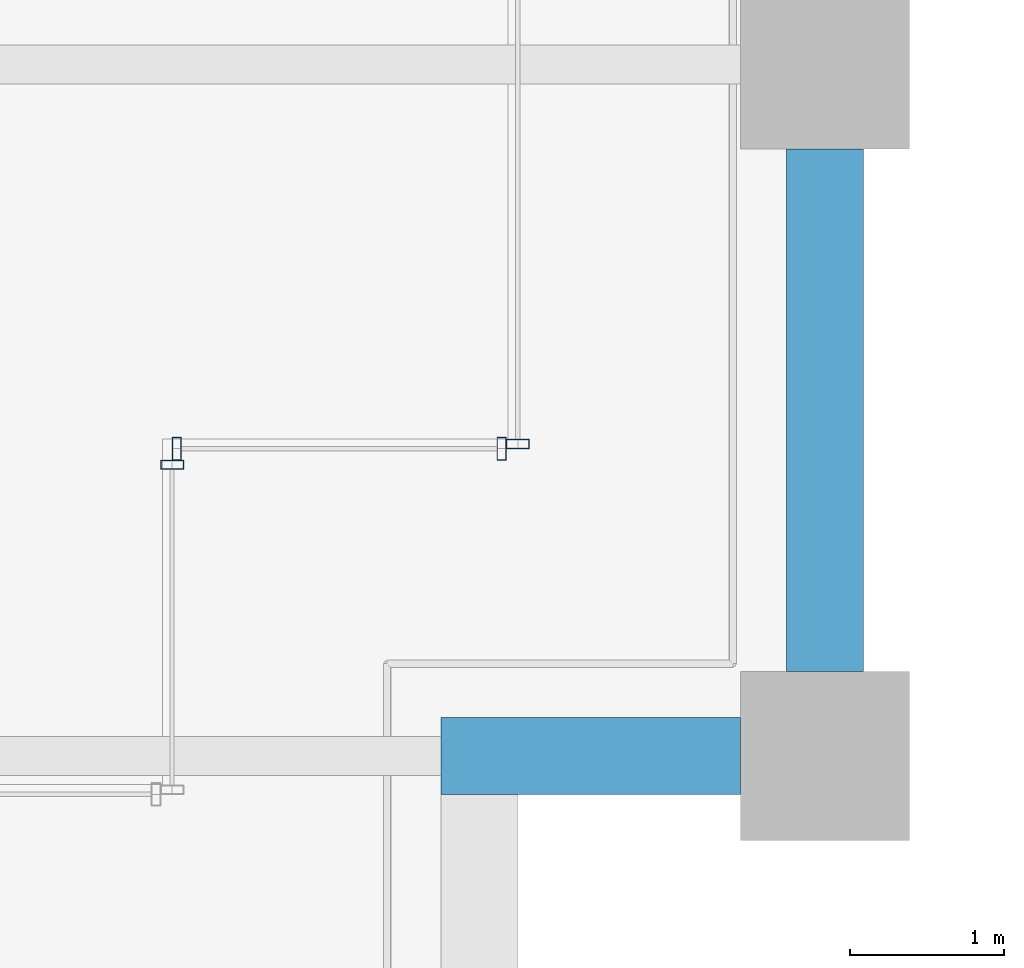
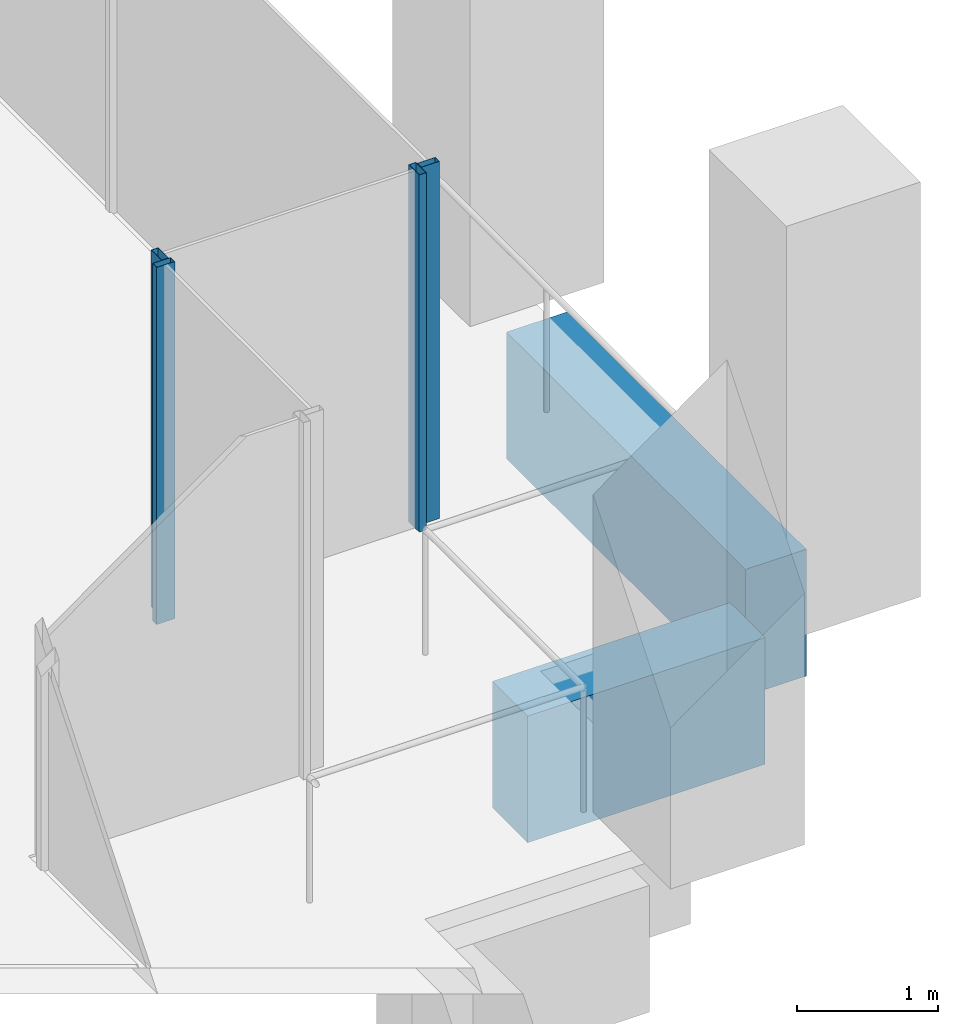
# One storey, part 16 of 54: 4 members, 2 beams, 3 elements without a shape of their own.
"""IFC4 building model written with IfcOpenShell, lengths in metres."""

import ifcopenshell
import ifcopenshell.guid

model = None  # the IFC model being written
_history = None  # IfcOwnerHistory: only IFC2X3 demands one
_inside = {}  # id of a spatial element -> (the spatial element, [elements in it])
_under = {}  # id of a project, library or spatial element -> (it, [spatial elements below it])
_declared = {}  # id of a project -> (the project, [libraries it declares])
_typed = {}  # id of a type object -> (the type object, [elements of that type])
_made_of = {}  # id of a material, layer set ... -> (it, [elements and type objects made of it])


def new_model(schema):
    """Start an empty IFC model of exactly this schema.

    Asked for "IFC4X3", IfcOpenShell would pick the latest addendum, in which some entities
    have other attributes; the version numbers below select the first issue.
    IFC2X3 requires an IfcOwnerHistory on every rooted entity: one is made here for all.
    """
    global model, _history
    if schema == "IFC4X3":
        model = ifcopenshell.file(schema_version=(4, 3, 0, 0))
    else:
        model = ifcopenshell.file(schema=schema)
    _inside.clear()
    _under.clear()
    _declared.clear()
    _typed.clear()
    _made_of.clear()
    _history = None
    if model.schema == "IFC2X3":
        org = make("IfcOrganization", Name="unknown")
        user = make(
            "IfcPersonAndOrganization",
            ThePerson=make("IfcPerson", FamilyName="unknown"),
            TheOrganization=org,
        )
        app = make(
            "IfcApplication",
            ApplicationDeveloper=org,
            Version="unknown",
            ApplicationFullName="unknown",
            ApplicationIdentifier="unknown",
        )
        _history = make(
            "IfcOwnerHistory",
            OwningUser=user,
            OwningApplication=app,
            ChangeAction="ADDED",
            CreationDate=0,
        )
    return model


def make(cls, **values):
    """One entity of the class cls with the attributes given. An attribute that is None is left unset."""
    return model.create_entity(
        cls, **{name: value for name, value in values.items() if value is not None}
    )


def rooted(cls, **values):
    """An entity with a GlobalId (a new one), such as an element, a storey or a relation."""
    return make(cls, GlobalId=ifcopenshell.guid.new(), OwnerHistory=_history, **values)


def si_unit(unit_type, name, prefix=None):
    """IfcSIUnit, for example si_unit("LENGTHUNIT", "METRE", prefix="MILLI")."""
    return make("IfcSIUnit", UnitType=unit_type, Prefix=prefix, Name=name)


def assignment(units):
    """IfcUnitAssignment: the units of a project."""
    return None if units is None else make("IfcUnitAssignment", Units=units)


def point(xyz):
    """IfcCartesianPoint."""
    return None if xyz is None else make("IfcCartesianPoint", Coordinates=xyz)


def direction(xyz):
    """IfcDirection."""
    return None if xyz is None else make("IfcDirection", DirectionRatios=xyz)


def frame(location, z_axis=None, x_axis=None):
    """IfcAxis2Placement3D, a coordinate frame: its origin and axes. An axis left out is left unset."""
    return make(
        "IfcAxis2Placement3D",
        Location=point(location),
        Axis=direction(z_axis),
        RefDirection=direction(x_axis),
    )


def frame_2d(location, x_axis=None):
    """IfcAxis2Placement2D, a coordinate frame in the plane: its origin and x axis."""
    return make(
        "IfcAxis2Placement2D", Location=point(location), RefDirection=direction(x_axis)
    )


def origin():
    """The frame at (0, 0, 0) with its axes left unset."""
    return frame((0.0, 0.0, 0.0))


def origin_2d():
    """The frame at (0, 0) in the plane with its x axis left unset."""
    return frame_2d((0.0, 0.0))


def place(relative_to, where):
    """IfcLocalPlacement: puts the frame where relative to a parent placement (None: the world)."""
    return make(
        "IfcLocalPlacement", PlacementRelTo=relative_to, RelativePlacement=where
    )


def context(
    kind, dimensions, precision=None, world=None, true_north=None, identifier=None
):
    """IfcGeometricRepresentationContext, for example the 3D "Model" context."""
    return make(
        "IfcGeometricRepresentationContext",
        ContextIdentifier=identifier,
        ContextType=kind,
        CoordinateSpaceDimension=dimensions,
        Precision=precision,
        WorldCoordinateSystem=world,
        TrueNorth=true_north,
    )


def subcontext(parent, identifier, kind, view, scale=None):
    """IfcGeometricRepresentationSubContext, for example "Body" below "Model"."""
    return make(
        "IfcGeometricRepresentationSubContext",
        ContextIdentifier=identifier,
        ContextType=kind,
        ParentContext=parent,
        TargetScale=scale,
        TargetView=view,
    )


def project(units=None, contexts=None):
    """IfcProject with its units and contexts."""
    return rooted(
        "IfcProject",
        Name="project",
        RepresentationContexts=contexts,
        UnitsInContext=assignment(units),
    )


def spatial(cls, under=None, at=None, **own):
    """A site, building, storey or space (cls), placed at a placement, below another one or the project."""
    s = rooted(cls, ObjectPlacement=at, **own)
    if under is not None:
        _under.setdefault(under.id(), (under, []))[1].append(s)
    return s


def profile(cls, at=None, kind="AREA", **sizes):
    """A parametric profile (cls). Its sizes go by their IFC names, for example OverallWidth=200.0."""
    return make(cls, ProfileType=kind, Position=at, **sizes)


def rectangle(**sizes):
    """IfcRectangleProfileDef."""
    return profile("IfcRectangleProfileDef", **sizes)


def hollow_rectangle(**sizes):
    """IfcRectangleHollowProfileDef."""
    return profile("IfcRectangleHollowProfileDef", **sizes)


def extrude(swept, where, along, depth):
    """IfcExtrudedAreaSolid: the profile swept, set in the frame where, extruded along a direction by depth."""
    return make(
        "IfcExtrudedAreaSolid",
        SweptArea=swept,
        Position=where,
        ExtrudedDirection=direction(along),
        Depth=depth,
    )


def shape(context_of_items, identifier, shape_type, items):
    """IfcShapeRepresentation: the items that make up one representation, for example the "Body"."""
    return make(
        "IfcShapeRepresentation",
        ContextOfItems=context_of_items,
        RepresentationIdentifier=identifier,
        RepresentationType=shape_type,
        Items=items,
    )


def material(Name=None, Category=None):
    """IfcMaterial."""
    return make("IfcMaterial", Name=Name, Category=Category)


def material_profile(
    of_material, cross_section, Name=None, Category=None, Priority=None
):
    """IfcMaterialProfile: a cross section and its material."""
    return make(
        "IfcMaterialProfile",
        Name=Name,
        Material=of_material,
        Profile=cross_section,
        Priority=Priority,
        Category=Category,
    )


def profile_set(profiles, Name=None, composite=None):
    """IfcMaterialProfileSet."""
    return make(
        "IfcMaterialProfileSet",
        Name=Name,
        MaterialProfiles=profiles,
        CompositeProfile=composite,
    )


def made_of(thing, what):
    """Note that an element or type object is made of a material, layer set ...; save() writes the relation."""
    if what is not None:
        _made_of.setdefault(what.id(), (what, []))[1].append(thing)
    return thing


def type_object(cls, material=None, **own):
    """A type object (cls), such as IfcWallType, which elements share."""
    return made_of(rooted(cls, **own), material)


def element(
    cls,
    number,
    at=None,
    inside=None,
    cuts=None,
    type_object=None,
    material=None,
    context=None,
    identifier="Body",
    shape_type=None,
    held_by="IfcProductDefinitionShape",
    body=None,
    shapes=None,
    **own,
):
    """One element of the class cls, such as IfcWall. Its Tag is "e" and its number.

    at: its placement. inside: the storey or other place that contains it. cuts: it is an
    opening in that element (IfcRelVoidsElement). A single representation is given by context,
    identifier, shape_type and body (its items); several are given by shapes. held_by: the class
    of the entity that holds the representations. save() writes the other relations.
    """
    e = rooted(cls, Tag="e%d" % number, ObjectPlacement=at, **own)
    if body is not None:
        shapes = [shape(context, identifier, shape_type, body)]
    if shapes is not None:
        e.Representation = make(held_by, Representations=shapes)
    if inside is not None:
        _inside.setdefault(inside.id(), (inside, []))[1].append(e)
    if cuts is not None:
        rooted(
            "IfcRelVoidsElement", RelatingBuildingElement=cuts, RelatedOpeningElement=e
        )
    if type_object is not None:
        _typed.setdefault(type_object.id(), (type_object, []))[1].append(e)
    return made_of(e, material)


def aggregate(whole, parts):
    """IfcRelAggregates: a whole, such as a stair, and the parts it consists of."""
    return rooted("IfcRelAggregates", RelatingObject=whole, RelatedObjects=parts)


def save(model, path):
    """Write the relations noted so far, then the file.

    IfcRelAggregates (storeys below a building ...), IfcRelContainedInSpatialStructure (elements
    in a storey), IfcRelDefinesByType, IfcRelAssociatesMaterial and IfcRelDeclares: one each for
    every whole, place, type object, material and project.
    """
    for whole, parts in _under.values():
        aggregate(whole, parts)
    for where, things in _inside.values():
        rooted(
            "IfcRelContainedInSpatialStructure",
            RelatedElements=things,
            RelatingStructure=where,
        )
    for kind, things in _typed.values():
        rooted("IfcRelDefinesByType", RelatedObjects=things, RelatingType=kind)
    for what, things in _made_of.values():
        rooted("IfcRelAssociatesMaterial", RelatedObjects=things, RelatingMaterial=what)
    for by, libraries in _declared.values():
        rooted("IfcRelDeclares", RelatingContext=by, RelatedDefinitions=libraries)
    model.write(path)


model = new_model("IFC4")

# Units and contexts
model_context = context("Model", 3, precision=1e-05, world=origin(), true_north=direction((0.0, 1.0)))
body_context = subcontext(model_context, "Body", "Model", "MODEL_VIEW")
ifc_project = project(units=[si_unit("LENGTHUNIT", "METRE"), si_unit("AREAUNIT", "SQUARE_METRE"), si_unit("VOLUMEUNIT", "CUBIC_METRE"), si_unit("PLANEANGLEUNIT", "RADIAN"), si_unit("MASSUNIT", "GRAM", prefix="KILO")], contexts=[model_context])

# Site, building, storey
site_placement = place(None, origin())
site = spatial("IfcSite", under=ifc_project, at=site_placement, CompositionType="ELEMENT")
building_placement = place(site_placement, origin())
building = spatial("IfcBuilding", under=site, at=building_placement, Name="Altepetl Exchange Towers", CompositionType="ELEMENT")
storey_placement = place(building_placement, frame((0.0, 0.0, 65.39990234375)))
storey = spatial("IfcBuildingStorey", under=building, at=storey_placement, Name="L15", CompositionType="ELEMENT", Elevation=65.39990234375)

# Curtain wall, member
ifc_material_1 = material(Name="Aluminium 6063-T6 glazing", Category="aluminium")
curtain_wall_type = type_object("IfcCurtainWallType", Name="Loggia glazing system", PredefinedType="NOTDEFINED", material=ifc_material_1)
curtain_wall_1_placement = place(storey_placement, origin())
curtain_wall_1 = element("IfcCurtainWall", 1, at=curtain_wall_1_placement, inside=storey, type_object=curtain_wall_type, Name="CW1 run", PredefinedType="NOTDEFINED")
ifc_material_2 = material(Name="Aluminium 6063-T6", Category="aluminium")
ifc_material_profile_1 = material_profile(ifc_material_2, hollow_rectangle(XDim=0.06005859375, YDim=0.14990234375, WallThickness=0.0029296875, at=origin_2d()), Name="Mullion 60x150 aluminium")
ifc_profile_set_1 = profile_set([ifc_material_profile_1], Name="Aluminium 6063-T6")
member_type = type_object("IfcMemberType", Name="Mullion 60x150 aluminium", PredefinedType="MULLION", material=ifc_profile_set_1)
member_1_placement = place(storey_placement, frame((67.75, 33.39501953125, 0.0), z_axis=(0.0, 0.0, 1.0), x_axis=(0.0, 1.0, 0.0)))
member_1 = element("IfcMember", 2, at=member_1_placement, type_object=member_type, Name="MU1 mullion", PredefinedType="MULLION", context=body_context, shape_type="SweptSolid", body=[
    extrude(hollow_rectangle(XDim=0.06005859375, YDim=0.14990234375, WallThickness=0.0029296875, at=origin_2d()), origin(), (0.0, 0.0, 1.0), 3.10009765625),
])
aggregate(curtain_wall_1, [member_1])

# Curtain wall, members
curtain_wall_2_placement = place(storey_placement, origin())
curtain_wall_2 = element("IfcCurtainWall", 3, at=curtain_wall_2_placement, inside=storey, type_object=curtain_wall_type, Name="CW1 run", PredefinedType="NOTDEFINED")
member_2_placement = place(storey_placement, frame((67.780029296875, 33.5, 0.0)))
member_2 = element("IfcMember", 4, at=member_2_placement, type_object=member_type, Name="MU1 mullion", PredefinedType="MULLION", context=body_context, shape_type="SweptSolid", body=[
    extrude(hollow_rectangle(XDim=0.06005859375, YDim=0.14990234375, WallThickness=0.0029296875, at=origin_2d()), origin(), (0.0, 0.0, 1.0), 3.10009765625),
])
member_3_placement = place(storey_placement, frame((69.89501953125, 33.5, 0.0)))
member_3 = element("IfcMember", 5, at=member_3_placement, type_object=member_type, Name="MU1 mullion", PredefinedType="MULLION", context=body_context, shape_type="SweptSolid", body=[
    extrude(hollow_rectangle(XDim=0.06005859375, YDim=0.14990234375, WallThickness=0.0029296875, at=origin_2d()), origin(), (0.0, 0.0, 1.0), 3.10009765625),
])
aggregate(curtain_wall_2, [member_2, member_3])

# Curtain wall, member
curtain_wall_3_placement = place(storey_placement, origin())
curtain_wall_3 = element("IfcCurtainWall", 6, at=curtain_wall_3_placement, inside=storey, type_object=curtain_wall_type, Name="CW1 run", PredefinedType="NOTDEFINED")
member_4_placement = place(storey_placement, frame((70.0, 33.530029296875, 0.0), z_axis=(0.0, 0.0, 1.0), x_axis=(0.0, 1.0, 0.0)))
member_4 = element("IfcMember", 7, at=member_4_placement, type_object=member_type, Name="MU1 mullion", PredefinedType="MULLION", context=body_context, shape_type="SweptSolid", body=[
    extrude(hollow_rectangle(XDim=0.06005859375, YDim=0.14990234375, WallThickness=0.0029296875, at=origin_2d()), origin(), (0.0, 0.0, 1.0), 3.10009765625),
])
aggregate(curtain_wall_3, [member_4])

# Beams
ifc_material_3 = material(Name="Concrete C50/60 precast with cantera amarilla facing", Category="concrete")
ifc_material_profile_2 = material_profile(ifc_material_3, rectangle(XDim=0.5, YDim=1.10009765625, at=origin_2d()), Name="500 x 1100")
ifc_profile_set_2 = profile_set([ifc_material_profile_2], Name="Concrete C50/60 precast with cantera amarilla facing")
beam_type = type_object("IfcBeamType", Name="Spandrel beam 500x1100 cantera amarilla", PredefinedType="SPANDREL", material=ifc_profile_set_2)
beam_1_placement = place(storey_placement, frame((69.5, 31.5, -0.699951171875), z_axis=(1.0, 0.0, 0.0), x_axis=(0.0, 1.0, 0.0)))
element("IfcBeam", 8, at=beam_1_placement, inside=storey, type_object=beam_type, Name="sp:A:L15:011", PredefinedType="SPANDREL", context=body_context, shape_type="SweptSolid", body=[
    extrude(rectangle(XDim=0.5, YDim=1.10009765625, at=origin_2d()), origin(), (0.0, 0.0, 1.0), 1.949951171875),
])
beam_2_placement = place(storey_placement, frame((72.0, 32.050048828125, -0.699951171875), z_axis=(0.0, 1.0, 0.0), x_axis=(-1.0, 0.0, 0.0)))
element("IfcBeam", 9, at=beam_2_placement, inside=storey, type_object=beam_type, Name="sp:A:L15:012", PredefinedType="SPANDREL", context=body_context, shape_type="SweptSolid", body=[
    extrude(rectangle(XDim=0.5, YDim=1.10009765625, at=origin_2d()), origin(), (0.0, 0.0, 1.0), 3.39990234375),
])

save(model, "model.ifc")
